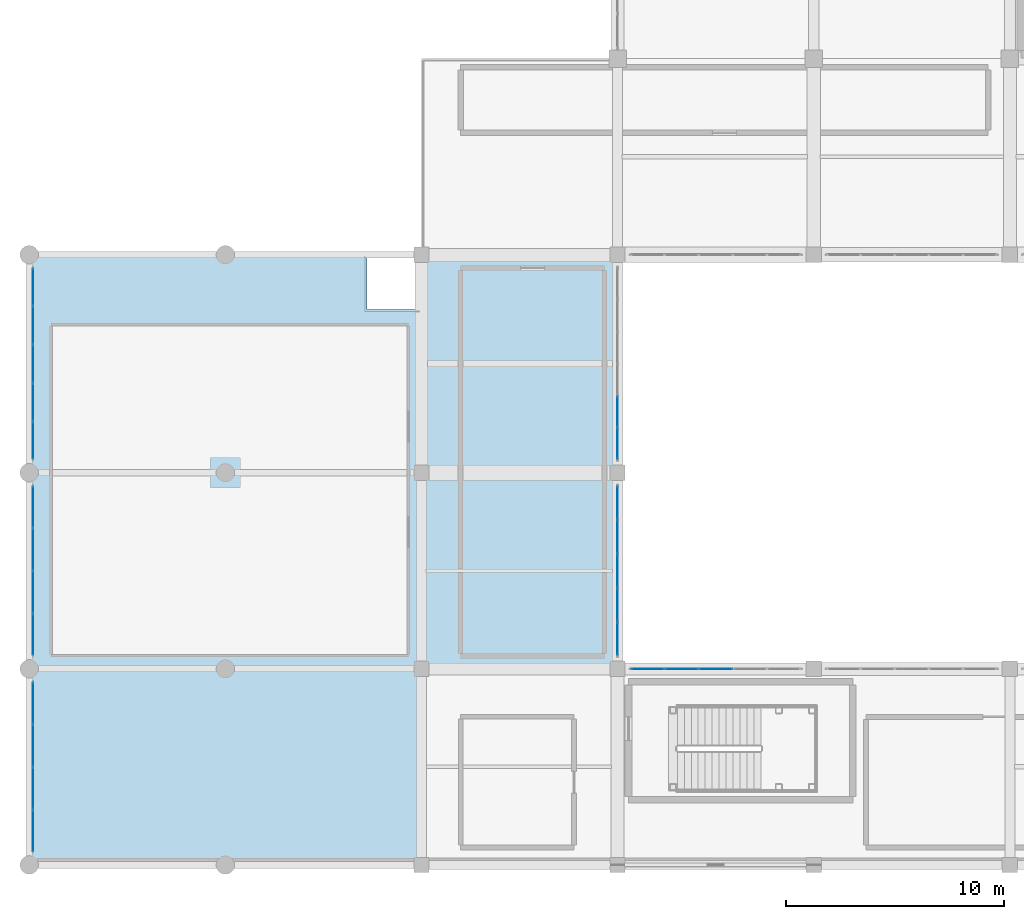
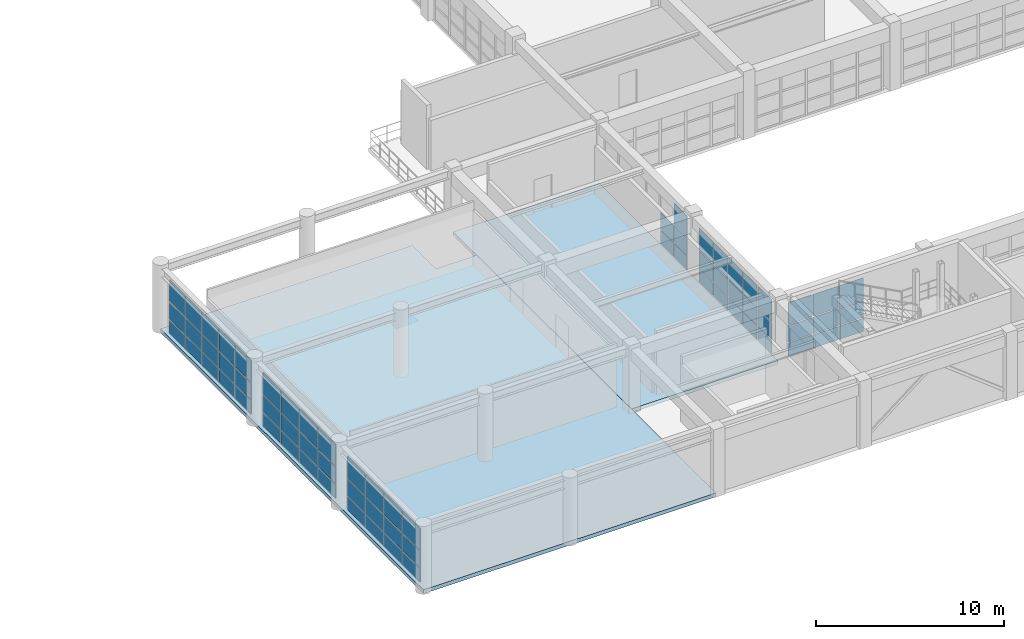
# One storey, part 89 of 133: 68 plates, 2 slabs, 6 elements without a shape of their own.
"""IFC4 building model written with IfcOpenShell, lengths in metres."""

import ifcopenshell
import ifcopenshell.guid

model = None  # the IFC model being written
_history = None  # IfcOwnerHistory: only IFC2X3 demands one
_inside = {}  # id of a spatial element -> (the spatial element, [elements in it])
_under = {}  # id of a project, library or spatial element -> (it, [spatial elements below it])
_declared = {}  # id of a project -> (the project, [libraries it declares])
_typed = {}  # id of a type object -> (the type object, [elements of that type])
_made_of = {}  # id of a material, layer set ... -> (it, [elements and type objects made of it])


def new_model(schema):
    """Start an empty IFC model of exactly this schema.

    Asked for "IFC4X3", IfcOpenShell would pick the latest addendum, in which some entities
    have other attributes; the version numbers below select the first issue.
    IFC2X3 requires an IfcOwnerHistory on every rooted entity: one is made here for all.
    """
    global model, _history
    if schema == "IFC4X3":
        model = ifcopenshell.file(schema_version=(4, 3, 0, 0))
    else:
        model = ifcopenshell.file(schema=schema)
    _inside.clear()
    _under.clear()
    _declared.clear()
    _typed.clear()
    _made_of.clear()
    _history = None
    if model.schema == "IFC2X3":
        org = make("IfcOrganization", Name="unknown")
        user = make(
            "IfcPersonAndOrganization",
            ThePerson=make("IfcPerson", FamilyName="unknown"),
            TheOrganization=org,
        )
        app = make(
            "IfcApplication",
            ApplicationDeveloper=org,
            Version="unknown",
            ApplicationFullName="unknown",
            ApplicationIdentifier="unknown",
        )
        _history = make(
            "IfcOwnerHistory",
            OwningUser=user,
            OwningApplication=app,
            ChangeAction="ADDED",
            CreationDate=0,
        )
    return model


def make(cls, **values):
    """One entity of the class cls with the attributes given. An attribute that is None is left unset."""
    return model.create_entity(
        cls, **{name: value for name, value in values.items() if value is not None}
    )


def rooted(cls, **values):
    """An entity with a GlobalId (a new one), such as an element, a storey or a relation."""
    return make(cls, GlobalId=ifcopenshell.guid.new(), OwnerHistory=_history, **values)


def si_unit(unit_type, name, prefix=None):
    """IfcSIUnit, for example si_unit("LENGTHUNIT", "METRE", prefix="MILLI")."""
    return make("IfcSIUnit", UnitType=unit_type, Prefix=prefix, Name=name)


def assignment(units):
    """IfcUnitAssignment: the units of a project."""
    return None if units is None else make("IfcUnitAssignment", Units=units)


def point(xyz):
    """IfcCartesianPoint."""
    return None if xyz is None else make("IfcCartesianPoint", Coordinates=xyz)


def direction(xyz):
    """IfcDirection."""
    return None if xyz is None else make("IfcDirection", DirectionRatios=xyz)


def frame(location, z_axis=None, x_axis=None):
    """IfcAxis2Placement3D, a coordinate frame: its origin and axes. An axis left out is left unset."""
    return make(
        "IfcAxis2Placement3D",
        Location=point(location),
        Axis=direction(z_axis),
        RefDirection=direction(x_axis),
    )


def frame_2d(location, x_axis=None):
    """IfcAxis2Placement2D, a coordinate frame in the plane: its origin and x axis."""
    return make(
        "IfcAxis2Placement2D", Location=point(location), RefDirection=direction(x_axis)
    )


def origin():
    """The frame at (0, 0, 0) with its axes left unset."""
    return frame((0.0, 0.0, 0.0))


def origin_2d():
    """The frame at (0, 0) in the plane with its x axis left unset."""
    return frame_2d((0.0, 0.0))


def place(relative_to, where):
    """IfcLocalPlacement: puts the frame where relative to a parent placement (None: the world)."""
    return make(
        "IfcLocalPlacement", PlacementRelTo=relative_to, RelativePlacement=where
    )


def context(
    kind, dimensions, precision=None, world=None, true_north=None, identifier=None
):
    """IfcGeometricRepresentationContext, for example the 3D "Model" context."""
    return make(
        "IfcGeometricRepresentationContext",
        ContextIdentifier=identifier,
        ContextType=kind,
        CoordinateSpaceDimension=dimensions,
        Precision=precision,
        WorldCoordinateSystem=world,
        TrueNorth=true_north,
    )


def subcontext(parent, identifier, kind, view, scale=None):
    """IfcGeometricRepresentationSubContext, for example "Body" below "Model"."""
    return make(
        "IfcGeometricRepresentationSubContext",
        ContextIdentifier=identifier,
        ContextType=kind,
        ParentContext=parent,
        TargetScale=scale,
        TargetView=view,
    )


def project(units=None, contexts=None):
    """IfcProject with its units and contexts."""
    return rooted(
        "IfcProject",
        Name="project",
        RepresentationContexts=contexts,
        UnitsInContext=assignment(units),
    )


def spatial(cls, under=None, at=None, **own):
    """A site, building, storey or space (cls), placed at a placement, below another one or the project."""
    s = rooted(cls, ObjectPlacement=at, **own)
    if under is not None:
        _under.setdefault(under.id(), (under, []))[1].append(s)
    return s


def polyline(points):
    """IfcPolyline through the points."""
    return make("IfcPolyline", Points=[point(p) for p in points])


def profile(cls, at=None, kind="AREA", **sizes):
    """A parametric profile (cls). Its sizes go by their IFC names, for example OverallWidth=200.0."""
    return make(cls, ProfileType=kind, Position=at, **sizes)


def rectangle(**sizes):
    """IfcRectangleProfileDef."""
    return profile("IfcRectangleProfileDef", **sizes)


def outline(outer, holes=None, kind="AREA"):
    """IfcArbitraryClosedProfileDef: a profile drawn as a closed curve; with holes, ...WithVoids."""
    if holes is None:
        return make("IfcArbitraryClosedProfileDef", ProfileType=kind, OuterCurve=outer)
    return make(
        "IfcArbitraryProfileDefWithVoids",
        ProfileType=kind,
        OuterCurve=outer,
        InnerCurves=holes,
    )


def extrude(swept, where, along, depth):
    """IfcExtrudedAreaSolid: the profile swept, set in the frame where, extruded along a direction by depth."""
    return make(
        "IfcExtrudedAreaSolid",
        SweptArea=swept,
        Position=where,
        ExtrudedDirection=direction(along),
        Depth=depth,
    )


def shape(context_of_items, identifier, shape_type, items):
    """IfcShapeRepresentation: the items that make up one representation, for example the "Body"."""
    return make(
        "IfcShapeRepresentation",
        ContextOfItems=context_of_items,
        RepresentationIdentifier=identifier,
        RepresentationType=shape_type,
        Items=items,
    )


def material(Name=None, Category=None):
    """IfcMaterial."""
    return make("IfcMaterial", Name=Name, Category=Category)


def layer(
    of_material, thickness, ventilated=None, Name=None, Category=None, Priority=None
):
    """IfcMaterialLayer: one layer of a wall or slab, of a material (None: an air gap)."""
    return make(
        "IfcMaterialLayer",
        Material=of_material,
        LayerThickness=thickness,
        IsVentilated=ventilated,
        Name=Name,
        Category=Category,
        Priority=Priority,
    )


def layer_set(layers, Name=None):
    """IfcMaterialLayerSet."""
    return make("IfcMaterialLayerSet", MaterialLayers=layers, LayerSetName=Name)


def made_of(thing, what):
    """Note that an element or type object is made of a material, layer set ...; save() writes the relation."""
    if what is not None:
        _made_of.setdefault(what.id(), (what, []))[1].append(thing)
    return thing


def type_object(cls, material=None, **own):
    """A type object (cls), such as IfcWallType, which elements share."""
    return made_of(rooted(cls, **own), material)


def element(
    cls,
    number,
    at=None,
    inside=None,
    cuts=None,
    type_object=None,
    material=None,
    context=None,
    identifier="Body",
    shape_type=None,
    held_by="IfcProductDefinitionShape",
    body=None,
    shapes=None,
    **own,
):
    """One element of the class cls, such as IfcWall. Its Tag is "e" and its number.

    at: its placement. inside: the storey or other place that contains it. cuts: it is an
    opening in that element (IfcRelVoidsElement). A single representation is given by context,
    identifier, shape_type and body (its items); several are given by shapes. held_by: the class
    of the entity that holds the representations. save() writes the other relations.
    """
    e = rooted(cls, Tag="e%d" % number, ObjectPlacement=at, **own)
    if body is not None:
        shapes = [shape(context, identifier, shape_type, body)]
    if shapes is not None:
        e.Representation = make(held_by, Representations=shapes)
    if inside is not None:
        _inside.setdefault(inside.id(), (inside, []))[1].append(e)
    if cuts is not None:
        rooted(
            "IfcRelVoidsElement", RelatingBuildingElement=cuts, RelatedOpeningElement=e
        )
    if type_object is not None:
        _typed.setdefault(type_object.id(), (type_object, []))[1].append(e)
    return made_of(e, material)


def aggregate(whole, parts):
    """IfcRelAggregates: a whole, such as a stair, and the parts it consists of."""
    return rooted("IfcRelAggregates", RelatingObject=whole, RelatedObjects=parts)


def save(model, path):
    """Write the relations noted so far, then the file.

    IfcRelAggregates (storeys below a building ...), IfcRelContainedInSpatialStructure (elements
    in a storey), IfcRelDefinesByType, IfcRelAssociatesMaterial and IfcRelDeclares: one each for
    every whole, place, type object, material and project.
    """
    for whole, parts in _under.values():
        aggregate(whole, parts)
    for where, things in _inside.values():
        rooted(
            "IfcRelContainedInSpatialStructure",
            RelatedElements=things,
            RelatingStructure=where,
        )
    for kind, things in _typed.values():
        rooted("IfcRelDefinesByType", RelatedObjects=things, RelatingType=kind)
    for what, things in _made_of.values():
        rooted("IfcRelAssociatesMaterial", RelatedObjects=things, RelatingMaterial=what)
    for by, libraries in _declared.values():
        rooted("IfcRelDeclares", RelatingContext=by, RelatedDefinitions=libraries)
    model.write(path)


model = new_model("IFC4")

# Units and contexts
model_context = context("Model", 3, precision=1e-05, world=origin(), true_north=direction((0.0, 1.0)))
body_context = subcontext(model_context, "Body", "Model", "MODEL_VIEW")
ifc_project = project(units=[si_unit("LENGTHUNIT", "METRE"), si_unit("AREAUNIT", "SQUARE_METRE"), si_unit("VOLUMEUNIT", "CUBIC_METRE"), si_unit("PLANEANGLEUNIT", "RADIAN"), si_unit("MASSUNIT", "GRAM", prefix="KILO")], contexts=[model_context])

# Site, building, storey
site_placement = place(None, origin())
site = spatial("IfcSite", under=ifc_project, at=site_placement, CompositionType="ELEMENT")
building_placement = place(site_placement, origin())
building = spatial("IfcBuilding", under=site, at=building_placement, Name="Miravela Opera House", CompositionType="ELEMENT")
storey_placement = place(building_placement, frame((0.0, 0.0, 5.10009765625)))
storey = spatial("IfcBuildingStorey", under=building, at=storey_placement, Name="L01", CompositionType="ELEMENT", Elevation=5.10009765625)

# Curtain wall, plates
ifc_material_1 = material(Name="Anodised architectural bronze aluminium 6063-T6", Category="aluminium")
curtain_wall_type_1 = type_object("IfcCurtainWallType", Name="ARC-CW-06", PredefinedType="NOTDEFINED", material=ifc_material_1)
curtain_wall_1_placement = place(storey_placement, origin())
curtain_wall_1 = element("IfcCurtainWall", 1, at=curtain_wall_1_placement, inside=storey, type_object=curtain_wall_type_1, Name="Courtyard Arcade Curtain Wall CW-L01-125", PredefinedType="NOTDEFINED")
ifc_material_2 = material(Name="Acoustic laminated low-E insulating glass", Category="glass")
ifc_layer_1 = layer(ifc_material_2, 0.028076171875)
ifc_layer_set_1 = layer_set([ifc_layer_1])
plate_type = type_object("IfcPlateType", Name="ARC-CWP-28", PredefinedType="CURTAIN_PANEL", material=ifc_layer_set_1)
plate_1_placement = place(storey_placement, frame((28.37890625, 9.0, 0.06005859375), z_axis=(0.0, 0.0, 1.0), x_axis=(1.0, 0.0, 0.0)))
plate_1 = element("IfcPlate", 2, at=plate_1_placement, type_object=plate_type, Name="CW-06 panel 1.1", PredefinedType="CURTAIN_PANEL", context=body_context, shape_type="SweptSolid", body=[
    extrude(rectangle(XDim=1.47802734375, YDim=0.028076171875, at=origin_2d()), origin(), (0.0, 0.0, 1.0), 0.860107421875),
])
plate_2_placement = place(storey_placement, frame((28.37890625, 9.0, 0.97998046875), z_axis=(0.0, 0.0, 1.0), x_axis=(1.0, 0.0, 0.0)))
plate_2 = element("IfcPlate", 3, at=plate_2_placement, type_object=plate_type, Name="CW-06 panel 1.2", PredefinedType="CURTAIN_PANEL", context=body_context, shape_type="SweptSolid", body=[
    extrude(rectangle(XDim=1.47802734375, YDim=0.028076171875, at=origin_2d()), origin(), (0.0, 0.0, 1.0), 1.083740234375),
])
plate_3_placement = place(storey_placement, frame((28.37890625, 9.0, 2.123779296875), z_axis=(0.0, 0.0, 1.0), x_axis=(1.0, 0.0, 0.0)))
plate_3 = element("IfcPlate", 4, at=plate_3_placement, type_object=plate_type, Name="CW-06 panel 1.3", PredefinedType="CURTAIN_PANEL", context=body_context, shape_type="SweptSolid", body=[
    extrude(rectangle(XDim=1.47802734375, YDim=0.028076171875, at=origin_2d()), origin(), (0.0, 0.0, 1.0), 1.42626953125),
])
plate_4_placement = place(storey_placement, frame((29.931884765625, 9.0, 0.06005859375), z_axis=(0.0, 0.0, 1.0), x_axis=(1.0, 0.0, 0.0)))
plate_4 = element("IfcPlate", 5, at=plate_4_placement, type_object=plate_type, Name="CW-06 panel 2.1", PredefinedType="CURTAIN_PANEL", context=body_context, shape_type="SweptSolid", body=[
    extrude(rectangle(XDim=1.508056640625, YDim=0.028076171875, at=origin_2d()), origin(), (0.0, 0.0, 1.0), 0.860107421875),
])
plate_5_placement = place(storey_placement, frame((29.931884765625, 9.0, 0.97998046875), z_axis=(0.0, 0.0, 1.0), x_axis=(1.0, 0.0, 0.0)))
plate_5 = element("IfcPlate", 6, at=plate_5_placement, type_object=plate_type, Name="CW-06 panel 2.2", PredefinedType="CURTAIN_PANEL", context=body_context, shape_type="SweptSolid", body=[
    extrude(rectangle(XDim=1.508056640625, YDim=0.028076171875, at=origin_2d()), origin(), (0.0, 0.0, 1.0), 1.083740234375),
])
plate_6_placement = place(storey_placement, frame((29.931884765625, 9.0, 2.123779296875), z_axis=(0.0, 0.0, 1.0), x_axis=(1.0, 0.0, 0.0)))
plate_6 = element("IfcPlate", 7, at=plate_6_placement, type_object=plate_type, Name="CW-06 panel 2.3", PredefinedType="CURTAIN_PANEL", context=body_context, shape_type="SweptSolid", body=[
    extrude(rectangle(XDim=1.508056640625, YDim=0.028076171875, at=origin_2d()), origin(), (0.0, 0.0, 1.0), 1.42626953125),
])
plate_7_placement = place(storey_placement, frame((31.5, 9.0, 0.06005859375), z_axis=(0.0, 0.0, 1.0), x_axis=(1.0, 0.0, 0.0)))
plate_7 = element("IfcPlate", 8, at=plate_7_placement, type_object=plate_type, Name="CW-06 panel 3.1", PredefinedType="CURTAIN_PANEL", context=body_context, shape_type="SweptSolid", body=[
    extrude(rectangle(XDim=1.508056640625, YDim=0.028076171875, at=origin_2d()), origin(), (0.0, 0.0, 1.0), 0.860107421875),
])
plate_8_placement = place(storey_placement, frame((31.5, 9.0, 0.97998046875), z_axis=(0.0, 0.0, 1.0), x_axis=(1.0, 0.0, 0.0)))
plate_8 = element("IfcPlate", 9, at=plate_8_placement, type_object=plate_type, Name="CW-06 panel 3.2", PredefinedType="CURTAIN_PANEL", context=body_context, shape_type="SweptSolid", body=[
    extrude(rectangle(XDim=1.508056640625, YDim=0.028076171875, at=origin_2d()), origin(), (0.0, 0.0, 1.0), 1.083740234375),
])
plate_9_placement = place(storey_placement, frame((31.5, 9.0, 2.123779296875), z_axis=(0.0, 0.0, 1.0), x_axis=(1.0, 0.0, 0.0)))
plate_9 = element("IfcPlate", 10, at=plate_9_placement, type_object=plate_type, Name="CW-06 panel 3.3", PredefinedType="CURTAIN_PANEL", context=body_context, shape_type="SweptSolid", body=[
    extrude(rectangle(XDim=1.508056640625, YDim=0.028076171875, at=origin_2d()), origin(), (0.0, 0.0, 1.0), 1.42626953125),
])
aggregate(curtain_wall_1, [plate_1, plate_2, plate_3, plate_4, plate_5, plate_6, plate_7, plate_8, plate_9])

curtain_wall_2_placement = place(storey_placement, origin())
curtain_wall_2 = element("IfcCurtainWall", 11, at=curtain_wall_2_placement, inside=storey, type_object=curtain_wall_type_1, Name="Courtyard Arcade Curtain Wall CW-L01-132", PredefinedType="NOTDEFINED")
plate_10_placement = place(storey_placement, frame((27.0, 10.37890625, 0.06005859375), z_axis=(0.0, 0.0, 1.0), x_axis=(0.0, 1.0, 0.0)))
plate_10 = element("IfcPlate", 12, at=plate_10_placement, type_object=plate_type, Name="CW-06 panel 1.1", PredefinedType="CURTAIN_PANEL", context=body_context, shape_type="SweptSolid", body=[
    extrude(rectangle(XDim=1.47802734375, YDim=0.028076171875, at=origin_2d()), origin(), (0.0, 0.0, 1.0), 0.860107421875),
])
plate_11_placement = place(storey_placement, frame((27.0, 10.37890625, 0.97998046875), z_axis=(0.0, 0.0, 1.0), x_axis=(0.0, 1.0, 0.0)))
plate_11 = element("IfcPlate", 13, at=plate_11_placement, type_object=plate_type, Name="CW-06 panel 1.2", PredefinedType="CURTAIN_PANEL", context=body_context, shape_type="SweptSolid", body=[
    extrude(rectangle(XDim=1.47802734375, YDim=0.028076171875, at=origin_2d()), origin(), (0.0, 0.0, 1.0), 1.083740234375),
])
plate_12_placement = place(storey_placement, frame((27.0, 10.37890625, 2.123779296875), z_axis=(0.0, 0.0, 1.0), x_axis=(0.0, 1.0, 0.0)))
plate_12 = element("IfcPlate", 14, at=plate_12_placement, type_object=plate_type, Name="CW-06 panel 1.3", PredefinedType="CURTAIN_PANEL", context=body_context, shape_type="SweptSolid", body=[
    extrude(rectangle(XDim=1.47802734375, YDim=0.028076171875, at=origin_2d()), origin(), (0.0, 0.0, 1.0), 1.42626953125),
])
plate_13_placement = place(storey_placement, frame((27.0, 11.931884765625, 0.06005859375), z_axis=(0.0, 0.0, 1.0), x_axis=(0.0, 1.0, 0.0)))
plate_13 = element("IfcPlate", 15, at=plate_13_placement, type_object=plate_type, Name="CW-06 panel 2.1", PredefinedType="CURTAIN_PANEL", context=body_context, shape_type="SweptSolid", body=[
    extrude(rectangle(XDim=1.508056640625, YDim=0.028076171875, at=origin_2d()), origin(), (0.0, 0.0, 1.0), 0.860107421875),
])
plate_14_placement = place(storey_placement, frame((27.0, 11.931884765625, 0.97998046875), z_axis=(0.0, 0.0, 1.0), x_axis=(0.0, 1.0, 0.0)))
plate_14 = element("IfcPlate", 16, at=plate_14_placement, type_object=plate_type, Name="CW-06 panel 2.2", PredefinedType="CURTAIN_PANEL", context=body_context, shape_type="SweptSolid", body=[
    extrude(rectangle(XDim=1.508056640625, YDim=0.028076171875, at=origin_2d()), origin(), (0.0, 0.0, 1.0), 1.083740234375),
])
plate_15_placement = place(storey_placement, frame((27.0, 11.931884765625, 2.123779296875), z_axis=(0.0, 0.0, 1.0), x_axis=(0.0, 1.0, 0.0)))
plate_15 = element("IfcPlate", 17, at=plate_15_placement, type_object=plate_type, Name="CW-06 panel 2.3", PredefinedType="CURTAIN_PANEL", context=body_context, shape_type="SweptSolid", body=[
    extrude(rectangle(XDim=1.508056640625, YDim=0.028076171875, at=origin_2d()), origin(), (0.0, 0.0, 1.0), 1.42626953125),
])
plate_16_placement = place(storey_placement, frame((27.0, 13.5, 0.06005859375), z_axis=(0.0, 0.0, 1.0), x_axis=(0.0, 1.0, 0.0)))
plate_16 = element("IfcPlate", 18, at=plate_16_placement, type_object=plate_type, Name="CW-06 panel 3.1", PredefinedType="CURTAIN_PANEL", context=body_context, shape_type="SweptSolid", body=[
    extrude(rectangle(XDim=1.508056640625, YDim=0.028076171875, at=origin_2d()), origin(), (0.0, 0.0, 1.0), 0.860107421875),
])
plate_17_placement = place(storey_placement, frame((27.0, 13.5, 0.97998046875), z_axis=(0.0, 0.0, 1.0), x_axis=(0.0, 1.0, 0.0)))
plate_17 = element("IfcPlate", 19, at=plate_17_placement, type_object=plate_type, Name="CW-06 panel 3.2", PredefinedType="CURTAIN_PANEL", context=body_context, shape_type="SweptSolid", body=[
    extrude(rectangle(XDim=1.508056640625, YDim=0.028076171875, at=origin_2d()), origin(), (0.0, 0.0, 1.0), 1.083740234375),
])
plate_18_placement = place(storey_placement, frame((27.0, 13.5, 2.123779296875), z_axis=(0.0, 0.0, 1.0), x_axis=(0.0, 1.0, 0.0)))
plate_18 = element("IfcPlate", 20, at=plate_18_placement, type_object=plate_type, Name="CW-06 panel 3.3", PredefinedType="CURTAIN_PANEL", context=body_context, shape_type="SweptSolid", body=[
    extrude(rectangle(XDim=1.508056640625, YDim=0.028076171875, at=origin_2d()), origin(), (0.0, 0.0, 1.0), 1.42626953125),
])
plate_19_placement = place(storey_placement, frame((27.0, 15.068115234375, 0.06005859375), z_axis=(0.0, 0.0, 1.0), x_axis=(0.0, 1.0, 0.0)))
plate_19 = element("IfcPlate", 21, at=plate_19_placement, type_object=plate_type, Name="CW-06 panel 4.1", PredefinedType="CURTAIN_PANEL", context=body_context, shape_type="SweptSolid", body=[
    extrude(rectangle(XDim=1.508056640625, YDim=0.028076171875, at=origin_2d()), origin(), (0.0, 0.0, 1.0), 0.860107421875),
])
plate_20_placement = place(storey_placement, frame((27.0, 15.068115234375, 0.97998046875), z_axis=(0.0, 0.0, 1.0), x_axis=(0.0, 1.0, 0.0)))
plate_20 = element("IfcPlate", 22, at=plate_20_placement, type_object=plate_type, Name="CW-06 panel 4.2", PredefinedType="CURTAIN_PANEL", context=body_context, shape_type="SweptSolid", body=[
    extrude(rectangle(XDim=1.508056640625, YDim=0.028076171875, at=origin_2d()), origin(), (0.0, 0.0, 1.0), 1.083740234375),
])
plate_21_placement = place(storey_placement, frame((27.0, 15.068115234375, 2.123779296875), z_axis=(0.0, 0.0, 1.0), x_axis=(0.0, 1.0, 0.0)))
plate_21 = element("IfcPlate", 23, at=plate_21_placement, type_object=plate_type, Name="CW-06 panel 4.3", PredefinedType="CURTAIN_PANEL", context=body_context, shape_type="SweptSolid", body=[
    extrude(rectangle(XDim=1.508056640625, YDim=0.028076171875, at=origin_2d()), origin(), (0.0, 0.0, 1.0), 1.42626953125),
])
plate_22_placement = place(storey_placement, frame((27.0, 16.62109375, 0.06005859375), z_axis=(0.0, 0.0, 1.0), x_axis=(0.0, 1.0, 0.0)))
plate_22 = element("IfcPlate", 24, at=plate_22_placement, type_object=plate_type, Name="CW-06 panel 5.1", PredefinedType="CURTAIN_PANEL", context=body_context, shape_type="SweptSolid", body=[
    extrude(rectangle(XDim=1.47802734375, YDim=0.028076171875, at=origin_2d()), origin(), (0.0, 0.0, 1.0), 0.860107421875),
])
plate_23_placement = place(storey_placement, frame((27.0, 16.62109375, 0.97998046875), z_axis=(0.0, 0.0, 1.0), x_axis=(0.0, 1.0, 0.0)))
plate_23 = element("IfcPlate", 25, at=plate_23_placement, type_object=plate_type, Name="CW-06 panel 5.2", PredefinedType="CURTAIN_PANEL", context=body_context, shape_type="SweptSolid", body=[
    extrude(rectangle(XDim=1.47802734375, YDim=0.028076171875, at=origin_2d()), origin(), (0.0, 0.0, 1.0), 1.083740234375),
])
plate_24_placement = place(storey_placement, frame((27.0, 16.62109375, 2.123779296875), z_axis=(0.0, 0.0, 1.0), x_axis=(0.0, 1.0, 0.0)))
plate_24 = element("IfcPlate", 26, at=plate_24_placement, type_object=plate_type, Name="CW-06 panel 5.3", PredefinedType="CURTAIN_PANEL", context=body_context, shape_type="SweptSolid", body=[
    extrude(rectangle(XDim=1.47802734375, YDim=0.028076171875, at=origin_2d()), origin(), (0.0, 0.0, 1.0), 1.42626953125),
])
aggregate(curtain_wall_2, [plate_10, plate_11, plate_12, plate_13, plate_14, plate_15, plate_16, plate_17, plate_18, plate_19, plate_20, plate_21, plate_22, plate_23, plate_24])

curtain_wall_3_placement = place(storey_placement, origin())
curtain_wall_3 = element("IfcCurtainWall", 27, at=curtain_wall_3_placement, inside=storey, type_object=curtain_wall_type_1, Name="Courtyard Arcade Curtain Wall CW-L01-133", PredefinedType="NOTDEFINED")
plate_25_placement = place(storey_placement, frame((27.0, 19.331787109375, 0.06005859375), z_axis=(0.0, 0.0, 1.0), x_axis=(0.0, 1.0, 0.0)))
plate_25 = element("IfcPlate", 28, at=plate_25_placement, type_object=plate_type, Name="CW-06 panel 1.1", PredefinedType="CURTAIN_PANEL", context=body_context, shape_type="SweptSolid", body=[
    extrude(rectangle(XDim=1.38330078125, YDim=0.028076171875, at=origin_2d()), origin(), (0.0, 0.0, 1.0), 0.860107421875),
])
plate_26_placement = place(storey_placement, frame((27.0, 19.331787109375, 0.97998046875), z_axis=(0.0, 0.0, 1.0), x_axis=(0.0, 1.0, 0.0)))
plate_26 = element("IfcPlate", 29, at=plate_26_placement, type_object=plate_type, Name="CW-06 panel 1.2", PredefinedType="CURTAIN_PANEL", context=body_context, shape_type="SweptSolid", body=[
    extrude(rectangle(XDim=1.38330078125, YDim=0.028076171875, at=origin_2d()), origin(), (0.0, 0.0, 1.0), 1.083740234375),
])
plate_27_placement = place(storey_placement, frame((27.0, 19.331787109375, 2.123779296875), z_axis=(0.0, 0.0, 1.0), x_axis=(0.0, 1.0, 0.0)))
plate_27 = element("IfcPlate", 30, at=plate_27_placement, type_object=plate_type, Name="CW-06 panel 1.3", PredefinedType="CURTAIN_PANEL", context=body_context, shape_type="SweptSolid", body=[
    extrude(rectangle(XDim=1.38330078125, YDim=0.028076171875, at=origin_2d()), origin(), (0.0, 0.0, 1.0), 1.42626953125),
])
plate_28_placement = place(storey_placement, frame((27.0, 20.7900390625, 0.06005859375), z_axis=(0.0, 0.0, 1.0), x_axis=(0.0, 1.0, 0.0)))
plate_28 = element("IfcPlate", 31, at=plate_28_placement, type_object=plate_type, Name="CW-06 panel 2.1", PredefinedType="CURTAIN_PANEL", context=body_context, shape_type="SweptSolid", body=[
    extrude(rectangle(XDim=1.413330078125, YDim=0.028076171875, at=origin_2d()), origin(), (0.0, 0.0, 1.0), 0.860107421875),
])
plate_29_placement = place(storey_placement, frame((27.0, 20.7900390625, 0.97998046875), z_axis=(0.0, 0.0, 1.0), x_axis=(0.0, 1.0, 0.0)))
plate_29 = element("IfcPlate", 32, at=plate_29_placement, type_object=plate_type, Name="CW-06 panel 2.2", PredefinedType="CURTAIN_PANEL", context=body_context, shape_type="SweptSolid", body=[
    extrude(rectangle(XDim=1.413330078125, YDim=0.028076171875, at=origin_2d()), origin(), (0.0, 0.0, 1.0), 1.083740234375),
])
aggregate(curtain_wall_3, [plate_25, plate_26, plate_27, plate_28, plate_29])

curtain_wall_type_2 = type_object("IfcCurtainWallType", Name="ARC-CW-07", PredefinedType="NOTDEFINED", material=ifc_material_1)
curtain_wall_4_placement = place(storey_placement, origin())
curtain_wall_4 = element("IfcCurtainWall", 33, at=curtain_wall_4_placement, inside=storey, type_object=curtain_wall_type_2, Name="Courtyard Arcade Curtain Wall CW-L01-196", PredefinedType="NOTDEFINED")
plate_30_placement = place(storey_placement, frame((0.179931640625, 1.574951171875, 0.06005859375), z_axis=(0.0, 0.0, 1.0), x_axis=(0.0, 1.0, 0.0)))
plate_30 = element("IfcPlate", 34, at=plate_30_placement, type_object=plate_type, Name="CW-07 panel 1.1", PredefinedType="CURTAIN_PANEL", context=body_context, shape_type="SweptSolid", body=[
    extrude(rectangle(XDim=1.8701171875, YDim=0.028076171875, at=origin_2d()), origin(), (0.0, 0.0, 1.0), 0.860107421875),
])
plate_31_placement = place(storey_placement, frame((0.179931640625, 1.574951171875, 0.97998046875), z_axis=(0.0, 0.0, 1.0), x_axis=(0.0, 1.0, 0.0)))
plate_31 = element("IfcPlate", 35, at=plate_31_placement, type_object=plate_type, Name="CW-07 panel 1.2", PredefinedType="CURTAIN_PANEL", context=body_context, shape_type="SweptSolid", body=[
    extrude(rectangle(XDim=1.8701171875, YDim=0.028076171875, at=origin_2d()), origin(), (0.0, 0.0, 1.0), 1.083740234375),
])
plate_32_placement = place(storey_placement, frame((0.179931640625, 1.574951171875, 2.123779296875), z_axis=(0.0, 0.0, 1.0), x_axis=(0.0, 1.0, 0.0)))
plate_32 = element("IfcPlate", 36, at=plate_32_placement, type_object=plate_type, Name="CW-07 panel 1.3", PredefinedType="CURTAIN_PANEL", context=body_context, shape_type="SweptSolid", body=[
    extrude(rectangle(XDim=1.8701171875, YDim=0.028076171875, at=origin_2d()), origin(), (0.0, 0.0, 1.0), 1.42626953125),
])
plate_33_placement = place(storey_placement, frame((0.179931640625, 3.52001953125, 0.06005859375), z_axis=(0.0, 0.0, 1.0), x_axis=(0.0, 1.0, 0.0)))
plate_33 = element("IfcPlate", 37, at=plate_33_placement, type_object=plate_type, Name="CW-07 panel 2.1", PredefinedType="CURTAIN_PANEL", context=body_context, shape_type="SweptSolid", body=[
    extrude(rectangle(XDim=1.89990234375, YDim=0.028076171875, at=origin_2d()), origin(), (0.0, 0.0, 1.0), 0.860107421875),
])
plate_34_placement = place(storey_placement, frame((0.179931640625, 3.52001953125, 0.97998046875), z_axis=(0.0, 0.0, 1.0), x_axis=(0.0, 1.0, 0.0)))
plate_34 = element("IfcPlate", 38, at=plate_34_placement, type_object=plate_type, Name="CW-07 panel 2.2", PredefinedType="CURTAIN_PANEL", context=body_context, shape_type="SweptSolid", body=[
    extrude(rectangle(XDim=1.89990234375, YDim=0.028076171875, at=origin_2d()), origin(), (0.0, 0.0, 1.0), 1.083740234375),
])
plate_35_placement = place(storey_placement, frame((0.179931640625, 3.52001953125, 2.123779296875), z_axis=(0.0, 0.0, 1.0), x_axis=(0.0, 1.0, 0.0)))
plate_35 = element("IfcPlate", 39, at=plate_35_placement, type_object=plate_type, Name="CW-07 panel 2.3", PredefinedType="CURTAIN_PANEL", context=body_context, shape_type="SweptSolid", body=[
    extrude(rectangle(XDim=1.89990234375, YDim=0.028076171875, at=origin_2d()), origin(), (0.0, 0.0, 1.0), 1.42626953125),
])
plate_36_placement = place(storey_placement, frame((0.179931640625, 5.47998046875, 0.06005859375), z_axis=(0.0, 0.0, 1.0), x_axis=(0.0, 1.0, 0.0)))
plate_36 = element("IfcPlate", 40, at=plate_36_placement, type_object=plate_type, Name="CW-07 panel 3.1", PredefinedType="CURTAIN_PANEL", context=body_context, shape_type="SweptSolid", body=[
    extrude(rectangle(XDim=1.89990234375, YDim=0.028076171875, at=origin_2d()), origin(), (0.0, 0.0, 1.0), 0.860107421875),
])
plate_37_placement = place(storey_placement, frame((0.179931640625, 5.47998046875, 0.97998046875), z_axis=(0.0, 0.0, 1.0), x_axis=(0.0, 1.0, 0.0)))
plate_37 = element("IfcPlate", 41, at=plate_37_placement, type_object=plate_type, Name="CW-07 panel 3.2", PredefinedType="CURTAIN_PANEL", context=body_context, shape_type="SweptSolid", body=[
    extrude(rectangle(XDim=1.89990234375, YDim=0.028076171875, at=origin_2d()), origin(), (0.0, 0.0, 1.0), 1.083740234375),
])
plate_38_placement = place(storey_placement, frame((0.179931640625, 5.47998046875, 2.123779296875), z_axis=(0.0, 0.0, 1.0), x_axis=(0.0, 1.0, 0.0)))
plate_38 = element("IfcPlate", 42, at=plate_38_placement, type_object=plate_type, Name="CW-07 panel 3.3", PredefinedType="CURTAIN_PANEL", context=body_context, shape_type="SweptSolid", body=[
    extrude(rectangle(XDim=1.89990234375, YDim=0.028076171875, at=origin_2d()), origin(), (0.0, 0.0, 1.0), 1.42626953125),
])
plate_39_placement = place(storey_placement, frame((0.179931640625, 7.425048828125, 0.06005859375), z_axis=(0.0, 0.0, 1.0), x_axis=(0.0, 1.0, 0.0)))
plate_39 = element("IfcPlate", 43, at=plate_39_placement, type_object=plate_type, Name="CW-07 panel 4.1", PredefinedType="CURTAIN_PANEL", context=body_context, shape_type="SweptSolid", body=[
    extrude(rectangle(XDim=1.8701171875, YDim=0.028076171875, at=origin_2d()), origin(), (0.0, 0.0, 1.0), 0.860107421875),
])
plate_40_placement = place(storey_placement, frame((0.179931640625, 7.425048828125, 0.97998046875), z_axis=(0.0, 0.0, 1.0), x_axis=(0.0, 1.0, 0.0)))
plate_40 = element("IfcPlate", 44, at=plate_40_placement, type_object=plate_type, Name="CW-07 panel 4.2", PredefinedType="CURTAIN_PANEL", context=body_context, shape_type="SweptSolid", body=[
    extrude(rectangle(XDim=1.8701171875, YDim=0.028076171875, at=origin_2d()), origin(), (0.0, 0.0, 1.0), 1.083740234375),
])
plate_41_placement = place(storey_placement, frame((0.179931640625, 7.425048828125, 2.123779296875), z_axis=(0.0, 0.0, 1.0), x_axis=(0.0, 1.0, 0.0)))
plate_41 = element("IfcPlate", 45, at=plate_41_placement, type_object=plate_type, Name="CW-07 panel 4.3", PredefinedType="CURTAIN_PANEL", context=body_context, shape_type="SweptSolid", body=[
    extrude(rectangle(XDim=1.8701171875, YDim=0.028076171875, at=origin_2d()), origin(), (0.0, 0.0, 1.0), 1.42626953125),
])
aggregate(curtain_wall_4, [plate_30, plate_31, plate_32, plate_33, plate_34, plate_35, plate_36, plate_37, plate_38, plate_39, plate_40, plate_41])

curtain_wall_5_placement = place(storey_placement, origin())
curtain_wall_5 = element("IfcCurtainWall", 46, at=curtain_wall_5_placement, inside=storey, type_object=curtain_wall_type_2, Name="Courtyard Arcade Curtain Wall CW-L01-197", PredefinedType="NOTDEFINED")
plate_42_placement = place(storey_placement, frame((0.179931640625, 10.574951171875, 0.06005859375), z_axis=(0.0, 0.0, 1.0), x_axis=(0.0, 1.0, 0.0)))
plate_42 = element("IfcPlate", 47, at=plate_42_placement, type_object=plate_type, Name="CW-07 panel 1.1", PredefinedType="CURTAIN_PANEL", context=body_context, shape_type="SweptSolid", body=[
    extrude(rectangle(XDim=1.8701171875, YDim=0.028076171875, at=origin_2d()), origin(), (0.0, 0.0, 1.0), 0.860107421875),
])
plate_43_placement = place(storey_placement, frame((0.179931640625, 10.574951171875, 0.97998046875), z_axis=(0.0, 0.0, 1.0), x_axis=(0.0, 1.0, 0.0)))
plate_43 = element("IfcPlate", 48, at=plate_43_placement, type_object=plate_type, Name="CW-07 panel 1.2", PredefinedType="CURTAIN_PANEL", context=body_context, shape_type="SweptSolid", body=[
    extrude(rectangle(XDim=1.8701171875, YDim=0.028076171875, at=origin_2d()), origin(), (0.0, 0.0, 1.0), 1.083740234375),
])
plate_44_placement = place(storey_placement, frame((0.179931640625, 10.574951171875, 2.123779296875), z_axis=(0.0, 0.0, 1.0), x_axis=(0.0, 1.0, 0.0)))
plate_44 = element("IfcPlate", 49, at=plate_44_placement, type_object=plate_type, Name="CW-07 panel 1.3", PredefinedType="CURTAIN_PANEL", context=body_context, shape_type="SweptSolid", body=[
    extrude(rectangle(XDim=1.8701171875, YDim=0.028076171875, at=origin_2d()), origin(), (0.0, 0.0, 1.0), 1.42626953125),
])
plate_45_placement = place(storey_placement, frame((0.179931640625, 12.52001953125, 0.06005859375), z_axis=(0.0, 0.0, 1.0), x_axis=(0.0, 1.0, 0.0)))
plate_45 = element("IfcPlate", 50, at=plate_45_placement, type_object=plate_type, Name="CW-07 panel 2.1", PredefinedType="CURTAIN_PANEL", context=body_context, shape_type="SweptSolid", body=[
    extrude(rectangle(XDim=1.89990234375, YDim=0.028076171875, at=origin_2d()), origin(), (0.0, 0.0, 1.0), 0.860107421875),
])
plate_46_placement = place(storey_placement, frame((0.179931640625, 12.52001953125, 0.97998046875), z_axis=(0.0, 0.0, 1.0), x_axis=(0.0, 1.0, 0.0)))
plate_46 = element("IfcPlate", 51, at=plate_46_placement, type_object=plate_type, Name="CW-07 panel 2.2", PredefinedType="CURTAIN_PANEL", context=body_context, shape_type="SweptSolid", body=[
    extrude(rectangle(XDim=1.89990234375, YDim=0.028076171875, at=origin_2d()), origin(), (0.0, 0.0, 1.0), 1.083740234375),
])
plate_47_placement = place(storey_placement, frame((0.179931640625, 12.52001953125, 2.123779296875), z_axis=(0.0, 0.0, 1.0), x_axis=(0.0, 1.0, 0.0)))
plate_47 = element("IfcPlate", 52, at=plate_47_placement, type_object=plate_type, Name="CW-07 panel 2.3", PredefinedType="CURTAIN_PANEL", context=body_context, shape_type="SweptSolid", body=[
    extrude(rectangle(XDim=1.89990234375, YDim=0.028076171875, at=origin_2d()), origin(), (0.0, 0.0, 1.0), 1.42626953125),
])
plate_48_placement = place(storey_placement, frame((0.179931640625, 14.47998046875, 0.06005859375), z_axis=(0.0, 0.0, 1.0), x_axis=(0.0, 1.0, 0.0)))
plate_48 = element("IfcPlate", 53, at=plate_48_placement, type_object=plate_type, Name="CW-07 panel 3.1", PredefinedType="CURTAIN_PANEL", context=body_context, shape_type="SweptSolid", body=[
    extrude(rectangle(XDim=1.89990234375, YDim=0.028076171875, at=origin_2d()), origin(), (0.0, 0.0, 1.0), 0.860107421875),
])
plate_49_placement = place(storey_placement, frame((0.179931640625, 14.47998046875, 0.97998046875), z_axis=(0.0, 0.0, 1.0), x_axis=(0.0, 1.0, 0.0)))
plate_49 = element("IfcPlate", 54, at=plate_49_placement, type_object=plate_type, Name="CW-07 panel 3.2", PredefinedType="CURTAIN_PANEL", context=body_context, shape_type="SweptSolid", body=[
    extrude(rectangle(XDim=1.89990234375, YDim=0.028076171875, at=origin_2d()), origin(), (0.0, 0.0, 1.0), 1.083740234375),
])
plate_50_placement = place(storey_placement, frame((0.179931640625, 14.47998046875, 2.123779296875), z_axis=(0.0, 0.0, 1.0), x_axis=(0.0, 1.0, 0.0)))
plate_50 = element("IfcPlate", 55, at=plate_50_placement, type_object=plate_type, Name="CW-07 panel 3.3", PredefinedType="CURTAIN_PANEL", context=body_context, shape_type="SweptSolid", body=[
    extrude(rectangle(XDim=1.89990234375, YDim=0.028076171875, at=origin_2d()), origin(), (0.0, 0.0, 1.0), 1.42626953125),
])
plate_51_placement = place(storey_placement, frame((0.179931640625, 16.425048828125, 0.06005859375), z_axis=(0.0, 0.0, 1.0), x_axis=(0.0, 1.0, 0.0)))
plate_51 = element("IfcPlate", 56, at=plate_51_placement, type_object=plate_type, Name="CW-07 panel 4.1", PredefinedType="CURTAIN_PANEL", context=body_context, shape_type="SweptSolid", body=[
    extrude(rectangle(XDim=1.8701171875, YDim=0.028076171875, at=origin_2d()), origin(), (0.0, 0.0, 1.0), 0.860107421875),
])
plate_52_placement = place(storey_placement, frame((0.179931640625, 16.425048828125, 0.97998046875), z_axis=(0.0, 0.0, 1.0), x_axis=(0.0, 1.0, 0.0)))
plate_52 = element("IfcPlate", 57, at=plate_52_placement, type_object=plate_type, Name="CW-07 panel 4.2", PredefinedType="CURTAIN_PANEL", context=body_context, shape_type="SweptSolid", body=[
    extrude(rectangle(XDim=1.8701171875, YDim=0.028076171875, at=origin_2d()), origin(), (0.0, 0.0, 1.0), 1.083740234375),
])
plate_53_placement = place(storey_placement, frame((0.179931640625, 16.425048828125, 2.123779296875), z_axis=(0.0, 0.0, 1.0), x_axis=(0.0, 1.0, 0.0)))
plate_53 = element("IfcPlate", 58, at=plate_53_placement, type_object=plate_type, Name="CW-07 panel 4.3", PredefinedType="CURTAIN_PANEL", context=body_context, shape_type="SweptSolid", body=[
    extrude(rectangle(XDim=1.8701171875, YDim=0.028076171875, at=origin_2d()), origin(), (0.0, 0.0, 1.0), 1.42626953125),
])
aggregate(curtain_wall_5, [plate_42, plate_43, plate_44, plate_45, plate_46, plate_47, plate_48, plate_49, plate_50, plate_51, plate_52, plate_53])

curtain_wall_6_placement = place(storey_placement, origin())
curtain_wall_6 = element("IfcCurtainWall", 59, at=curtain_wall_6_placement, inside=storey, type_object=curtain_wall_type_2, Name="Courtyard Arcade Curtain Wall CW-L01-198", PredefinedType="NOTDEFINED")
plate_54_placement = place(storey_placement, frame((0.179931640625, 19.47900390625, 0.06005859375), z_axis=(0.0, 0.0, 1.0), x_axis=(0.0, 1.0, 0.0)))
plate_54 = element("IfcPlate", 60, at=plate_54_placement, type_object=plate_type, Name="CW-07 panel 1.1", PredefinedType="CURTAIN_PANEL", context=body_context, shape_type="SweptSolid", body=[
    extrude(rectangle(XDim=1.677978515625, YDim=0.028076171875, at=origin_2d()), origin(), (0.0, 0.0, 1.0), 0.860107421875),
])
plate_55_placement = place(storey_placement, frame((0.179931640625, 19.47900390625, 0.97998046875), z_axis=(0.0, 0.0, 1.0), x_axis=(0.0, 1.0, 0.0)))
plate_55 = element("IfcPlate", 61, at=plate_55_placement, type_object=plate_type, Name="CW-07 panel 1.2", PredefinedType="CURTAIN_PANEL", context=body_context, shape_type="SweptSolid", body=[
    extrude(rectangle(XDim=1.677978515625, YDim=0.028076171875, at=origin_2d()), origin(), (0.0, 0.0, 1.0), 1.083740234375),
])
plate_56_placement = place(storey_placement, frame((0.179931640625, 19.47900390625, 2.123779296875), z_axis=(0.0, 0.0, 1.0), x_axis=(0.0, 1.0, 0.0)))
plate_56 = element("IfcPlate", 62, at=plate_56_placement, type_object=plate_type, Name="CW-07 panel 1.3", PredefinedType="CURTAIN_PANEL", context=body_context, shape_type="SweptSolid", body=[
    extrude(rectangle(XDim=1.677978515625, YDim=0.028076171875, at=origin_2d()), origin(), (0.0, 0.0, 1.0), 1.42626953125),
])
plate_57_placement = place(storey_placement, frame((0.179931640625, 21.23193359375, 0.06005859375), z_axis=(0.0, 0.0, 1.0), x_axis=(0.0, 1.0, 0.0)))
plate_57 = element("IfcPlate", 63, at=plate_57_placement, type_object=plate_type, Name="CW-07 panel 2.1", PredefinedType="CURTAIN_PANEL", context=body_context, shape_type="SweptSolid", body=[
    extrude(rectangle(XDim=1.7080078125, YDim=0.028076171875, at=origin_2d()), origin(), (0.0, 0.0, 1.0), 0.860107421875),
])
plate_58_placement = place(storey_placement, frame((0.179931640625, 21.23193359375, 0.97998046875), z_axis=(0.0, 0.0, 1.0), x_axis=(0.0, 1.0, 0.0)))
plate_58 = element("IfcPlate", 64, at=plate_58_placement, type_object=plate_type, Name="CW-07 panel 2.2", PredefinedType="CURTAIN_PANEL", context=body_context, shape_type="SweptSolid", body=[
    extrude(rectangle(XDim=1.7080078125, YDim=0.028076171875, at=origin_2d()), origin(), (0.0, 0.0, 1.0), 1.083740234375),
])
plate_59_placement = place(storey_placement, frame((0.179931640625, 21.23193359375, 2.123779296875), z_axis=(0.0, 0.0, 1.0), x_axis=(0.0, 1.0, 0.0)))
plate_59 = element("IfcPlate", 65, at=plate_59_placement, type_object=plate_type, Name="CW-07 panel 2.3", PredefinedType="CURTAIN_PANEL", context=body_context, shape_type="SweptSolid", body=[
    extrude(rectangle(XDim=1.7080078125, YDim=0.028076171875, at=origin_2d()), origin(), (0.0, 0.0, 1.0), 1.42626953125),
])
plate_60_placement = place(storey_placement, frame((0.179931640625, 23.0, 0.06005859375), z_axis=(0.0, 0.0, 1.0), x_axis=(0.0, 1.0, 0.0)))
plate_60 = element("IfcPlate", 66, at=plate_60_placement, type_object=plate_type, Name="CW-07 panel 3.1", PredefinedType="CURTAIN_PANEL", context=body_context, shape_type="SweptSolid", body=[
    extrude(rectangle(XDim=1.7080078125, YDim=0.028076171875, at=origin_2d()), origin(), (0.0, 0.0, 1.0), 0.860107421875),
])
plate_61_placement = place(storey_placement, frame((0.179931640625, 23.0, 0.97998046875), z_axis=(0.0, 0.0, 1.0), x_axis=(0.0, 1.0, 0.0)))
plate_61 = element("IfcPlate", 67, at=plate_61_placement, type_object=plate_type, Name="CW-07 panel 3.2", PredefinedType="CURTAIN_PANEL", context=body_context, shape_type="SweptSolid", body=[
    extrude(rectangle(XDim=1.7080078125, YDim=0.028076171875, at=origin_2d()), origin(), (0.0, 0.0, 1.0), 1.083740234375),
])
plate_62_placement = place(storey_placement, frame((0.179931640625, 23.0, 2.123779296875), z_axis=(0.0, 0.0, 1.0), x_axis=(0.0, 1.0, 0.0)))
plate_62 = element("IfcPlate", 68, at=plate_62_placement, type_object=plate_type, Name="CW-07 panel 3.3", PredefinedType="CURTAIN_PANEL", context=body_context, shape_type="SweptSolid", body=[
    extrude(rectangle(XDim=1.7080078125, YDim=0.028076171875, at=origin_2d()), origin(), (0.0, 0.0, 1.0), 1.42626953125),
])
plate_63_placement = place(storey_placement, frame((0.179931640625, 24.76806640625, 0.06005859375), z_axis=(0.0, 0.0, 1.0), x_axis=(0.0, 1.0, 0.0)))
plate_63 = element("IfcPlate", 69, at=plate_63_placement, type_object=plate_type, Name="CW-07 panel 4.1", PredefinedType="CURTAIN_PANEL", context=body_context, shape_type="SweptSolid", body=[
    extrude(rectangle(XDim=1.7080078125, YDim=0.028076171875, at=origin_2d()), origin(), (0.0, 0.0, 1.0), 0.860107421875),
])
plate_64_placement = place(storey_placement, frame((0.179931640625, 24.76806640625, 0.97998046875), z_axis=(0.0, 0.0, 1.0), x_axis=(0.0, 1.0, 0.0)))
plate_64 = element("IfcPlate", 70, at=plate_64_placement, type_object=plate_type, Name="CW-07 panel 4.2", PredefinedType="CURTAIN_PANEL", context=body_context, shape_type="SweptSolid", body=[
    extrude(rectangle(XDim=1.7080078125, YDim=0.028076171875, at=origin_2d()), origin(), (0.0, 0.0, 1.0), 1.083740234375),
])
plate_65_placement = place(storey_placement, frame((0.179931640625, 24.76806640625, 2.123779296875), z_axis=(0.0, 0.0, 1.0), x_axis=(0.0, 1.0, 0.0)))
plate_65 = element("IfcPlate", 71, at=plate_65_placement, type_object=plate_type, Name="CW-07 panel 4.3", PredefinedType="CURTAIN_PANEL", context=body_context, shape_type="SweptSolid", body=[
    extrude(rectangle(XDim=1.7080078125, YDim=0.028076171875, at=origin_2d()), origin(), (0.0, 0.0, 1.0), 1.42626953125),
])
plate_66_placement = place(storey_placement, frame((0.179931640625, 26.52099609375, 0.06005859375), z_axis=(0.0, 0.0, 1.0), x_axis=(0.0, 1.0, 0.0)))
plate_66 = element("IfcPlate", 72, at=plate_66_placement, type_object=plate_type, Name="CW-07 panel 5.1", PredefinedType="CURTAIN_PANEL", context=body_context, shape_type="SweptSolid", body=[
    extrude(rectangle(XDim=1.677978515625, YDim=0.028076171875, at=origin_2d()), origin(), (0.0, 0.0, 1.0), 0.860107421875),
])
plate_67_placement = place(storey_placement, frame((0.179931640625, 26.52099609375, 0.97998046875), z_axis=(0.0, 0.0, 1.0), x_axis=(0.0, 1.0, 0.0)))
plate_67 = element("IfcPlate", 73, at=plate_67_placement, type_object=plate_type, Name="CW-07 panel 5.2", PredefinedType="CURTAIN_PANEL", context=body_context, shape_type="SweptSolid", body=[
    extrude(rectangle(XDim=1.677978515625, YDim=0.028076171875, at=origin_2d()), origin(), (0.0, 0.0, 1.0), 1.083740234375),
])
plate_68_placement = place(storey_placement, frame((0.179931640625, 26.52099609375, 2.123779296875), z_axis=(0.0, 0.0, 1.0), x_axis=(0.0, 1.0, 0.0)))
plate_68 = element("IfcPlate", 74, at=plate_68_placement, type_object=plate_type, Name="CW-07 panel 5.3", PredefinedType="CURTAIN_PANEL", context=body_context, shape_type="SweptSolid", body=[
    extrude(rectangle(XDim=1.677978515625, YDim=0.028076171875, at=origin_2d()), origin(), (0.0, 0.0, 1.0), 1.42626953125),
])
aggregate(curtain_wall_6, [plate_54, plate_55, plate_56, plate_57, plate_58, plate_59, plate_60, plate_61, plate_62, plate_63, plate_64, plate_65, plate_66, plate_67, plate_68])

# Slabs
ifc_material_3 = material(Name="Concrete C35/45", Category="concrete")
ifc_layer_2 = layer(ifc_material_3, 0.25)
ifc_layer_set_2 = layer_set([ifc_layer_2])
slab_type_1 = type_object("IfcSlabType", Name="STR-SLAB-FLR-250", PredefinedType="FLOOR", material=ifc_layer_set_2)
slab_1_placement = place(storey_placement, frame((0.0, 0.0, -0.25)))
element("IfcSlab", 75, at=slab_1_placement, inside=storey, type_object=slab_type_1, Name="Level L01 Floor Slab SLAB-L01-V5S", PredefinedType="FLOOR", context=body_context, shape_type="SweptSolid", body=[
    extrude(outline(polyline([(0.0, 0.0), (18.0, 0.0), (18.0, 25.5), (15.5, 25.5), (15.5, 28.0), (0.0, 28.0), (0.0, 0.0)])), origin(), (0.0, 0.0, 1.0), 0.25),
])
ifc_layer_3 = layer(ifc_material_3, 0.22998046875)
ifc_layer_set_3 = layer_set([ifc_layer_3])
slab_type_2 = type_object("IfcSlabType", Name="STR-SLAB-LINK-230", PredefinedType="FLOOR", material=ifc_layer_set_3)
slab_2_placement = place(storey_placement, frame((0.0, 0.0, -0.22998046875)))
element("IfcSlab", 76, at=slab_2_placement, inside=storey, type_object=slab_type_2, Name="Articulated Seismic Joint Gallery Link Slab SL-LK1 (SLAB-L01-V4WC)", PredefinedType="FLOOR", context=body_context, shape_type="SweptSolid", body=[
    extrude(outline(polyline([(18.0, 9.0), (27.0, 9.0), (27.0, 28.0), (18.0, 28.0), (18.0, 9.0)])), origin(), (0.0, 0.0, 1.0), 0.22998046875),
])

save(model, "model.ifc")
